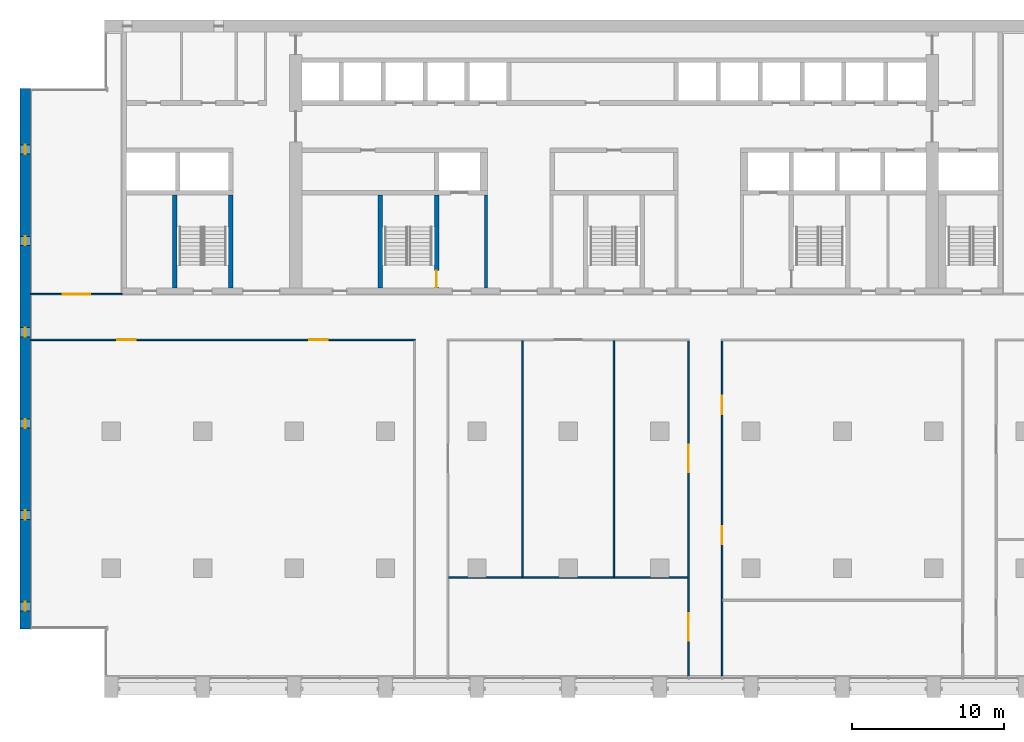
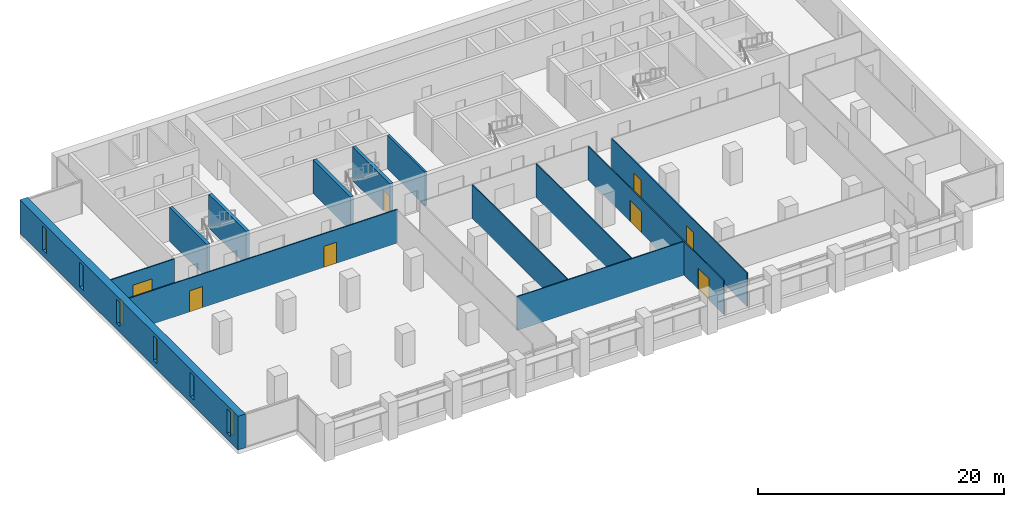
# One storey, part 8 of 15: 13 walls, 8 doors, 6 windows, 14 openings.
"""IFC4 building model written with IfcOpenShell, lengths in metres."""

from ifc_helpers import new_model, si_unit, direction, frame, frame_2d, origin, place, context, subcontext, project, spatial, rectangle, extrude, material, layer, layer_set, type_object, element, fill, save


model = new_model("IFC4")

# Units and contexts
model_context = context("Model", 3, precision=1e-05, world=origin(), true_north=direction((0.0, 1.0)))
body_context = subcontext(model_context, "Body", "Model", "MODEL_VIEW")
ifc_project = project(units=[si_unit("LENGTHUNIT", "METRE"), si_unit("AREAUNIT", "SQUARE_METRE"), si_unit("VOLUMEUNIT", "CUBIC_METRE"), si_unit("PLANEANGLEUNIT", "RADIAN"), si_unit("MASSUNIT", "GRAM", prefix="KILO")], contexts=[model_context])

# Site, building, storey
site_placement = place(None, origin())
site = spatial("IfcSite", under=ifc_project, at=site_placement, CompositionType="ELEMENT")
building_placement = place(site_placement, origin())
building = spatial("IfcBuilding", under=site, at=building_placement, Name="Calvaro Tower", CompositionType="ELEMENT")
storey_placement = place(building_placement, frame((0.0, 0.0, 151.25)))
storey = spatial("IfcBuildingStorey", under=building, at=storey_placement, Name="L38", CompositionType="ELEMENT", Elevation=151.25)

# Walls
ifc_material_1 = material(Name="Blockwork partition", Category="masonry")
ifc_layer_1 = layer(ifc_material_1, 0.199951171875)
ifc_layer_set_1 = layer_set([ifc_layer_1], Name="Blockwork partition")
wall_type_1 = type_object("IfcWallType", Name="Core partition 200 REI 120", PredefinedType="PARTITIONING", material=ifc_layer_set_1)
wall_1_placement = place(storey_placement, frame((30.60009765625, 28.39990234375, 0.0), z_axis=(0.0, 0.0, 1.0), x_axis=(0.0, 1.0, 0.0)))
element("IfcWall", 1, at=wall_1_placement, inside=storey, type_object=wall_type_1, Name="Core partition", PredefinedType="PARTITIONING", context=body_context, shape_type="SweptSolid", body=[
    extrude(rectangle(XDim=6.10009765625, YDim=0.199951171875, at=frame_2d((3.050048828125, 0.0))), origin(), (0.0, 0.0, 1.0), 3.35009765625),
])
ifc_material_2 = material(Name="Concrete C60/75", Category="concrete")
ifc_layer_2 = layer(ifc_material_2, 0.300048828125)
ifc_layer_set_2 = layer_set([ifc_layer_2], Name="Concrete C60/75")
wall_type_2 = type_object("IfcWallType", Name="Core wall C60/75 300", PredefinedType="SHEAR", material=ifc_layer_set_2)
for number, where, z_axis, x_axis, name in (
    (2, (10.14990234375, 28.39990234375, 0.0), (0.0, 0.0, 1.0), (0.0, 1.0, 0.0), "Core wall, stair enclosure"),
    (3, (13.85009765625, 28.39990234375, 0.0), (0.0, 0.0, 1.0), (0.0, 1.0, 0.0), "Core wall, stair enclosure"),
    (4, (23.64990234375, 28.39990234375, 0.0), (0.0, 0.0, 1.0), (0.0, 1.0, 0.0), "Core wall, stair enclosure"),
):
    element("IfcWall", number, at=place(storey_placement, frame(where, z_axis=z_axis, x_axis=x_axis)), inside=storey, type_object=wall_type_2, Name=name, PredefinedType="SHEAR", context=body_context, shape_type="SweptSolid", body=[
        extrude(rectangle(XDim=6.10009765625, YDim=0.300048828125, at=frame_2d((3.050048828125, 0.0))), origin(), (0.0, 0.0, 1.0), 3.35009765625),
    ])

# Wall, opening, door
wall_2_placement = place(storey_placement, frame((27.35009765625, 28.39990234375, 0.0), z_axis=(0.0, 0.0, 1.0), x_axis=(0.0, 1.0, 0.0)))
wall_2 = element("IfcWall", 5, at=wall_2_placement, inside=storey, type_object=wall_type_2, Name="Core wall, stair enclosure", PredefinedType="SHEAR", context=body_context, shape_type="SweptSolid", body=[
    extrude(rectangle(XDim=6.10009765625, YDim=0.300048828125, at=frame_2d((3.050048828125, 0.0))), origin(), (0.0, 0.0, 1.0), 3.35009765625),
])
opening_1_placement = place(wall_2_placement, frame((0.050048828125, 0.0, 0.0)))
opening_1 = element("IfcOpeningElement", 6, at=opening_1_placement, cuts=wall_2, Name="Opening FD11D", PredefinedType="OPENING", context=body_context, shape_type="SweptSolid", body=[
    extrude(rectangle(XDim=1.10009765625, YDim=2.10009765625, at=frame_2d((0.550048828125, 1.050048828125))), frame((0.0, 0.159912109375, 0.0), z_axis=(0.0, -1.0, 0.0), x_axis=(1.0, 0.0, 0.0)), (0.0, 0.0, 1.0), 0.320068359375),
])
ifc_material_3 = material(Name="Steel door set", Category="steel")
door_type_1 = type_object("IfcDoorType", Name="Fire door 1100 FD30S", OperationType="SINGLE_SWING_LEFT", PredefinedType="DOOR", material=ifc_material_3)
door_1_placement = place(opening_1_placement, origin())
door_1 = element("IfcDoor", 7, at=door_1_placement, inside=storey, type_object=door_type_1, Name="Fire door", OperationType="SINGLE_SWING_LEFT", OverallHeight=2.10009765625, OverallWidth=1.10009765625, PredefinedType="DOOR", context=body_context, shape_type="SweptSolid", body=[
    extrude(rectangle(XDim=1.10009765625, YDim=2.10009765625, at=frame_2d((0.550048828125, 1.050048828125))), frame((0.0, 0.02490234375, 0.0), z_axis=(0.0, -1.0, 0.0), x_axis=(1.0, 0.0, 0.0)), (0.0, 0.0, 1.0), 0.050048828125),
])
fill(opening_1, door_1)

# Wall, openings, windows
ifc_material_4 = material(Name="Concrete C60/75", Category="concrete")
ifc_layer_3 = layer(ifc_material_4, 0.699951171875)
ifc_layer_set_3 = layer_set([ifc_layer_3], Name="Concrete C60/75")
wall_type_3 = type_object("IfcWallType", Name="End wall 700 C60/75", PredefinedType="SHEAR", material=ifc_layer_set_3)
wall_3_placement = place(storey_placement, frame((0.35009765625, 6.0, 0.0), z_axis=(0.0, 0.0, 1.0), x_axis=(0.0, 1.0, 0.0)))
wall_3 = element("IfcWall", 8, at=wall_3_placement, inside=storey, type_object=wall_type_3, Name="End shear wall", PredefinedType="SHEAR", context=body_context, shape_type="SweptSolid", body=[
    extrude(rectangle(XDim=35.5, YDim=0.699951171875, at=frame_2d((17.75, 0.0))), origin(), (0.0, 0.0, 1.0), 3.35009765625),
])
opening_2_placement = place(wall_3_placement, frame((1.199951171875, 0.0, 0.60009765625)))
opening_2 = element("IfcOpeningElement", 9, at=opening_2_placement, cuts=wall_3, Name="Opening WW01", PredefinedType="OPENING", context=body_context, shape_type="SweptSolid", body=[
    extrude(rectangle(XDim=0.60009765625, YDim=2.39990234375, at=frame_2d((0.300048828125, 1.199951171875))), frame((0.0, 0.35986328125, 0.0), z_axis=(0.0, -1.0, 0.0), x_axis=(1.0, 0.0, 0.0)), (0.0, 0.0, 1.0), 0.719970703125),
])
opening_3_placement = place(wall_3_placement, frame((7.199951171875, 0.0, 0.60009765625)))
opening_3 = element("IfcOpeningElement", 10, at=opening_3_placement, cuts=wall_3, Name="Opening WW02", PredefinedType="OPENING", context=body_context, shape_type="SweptSolid", body=[
    extrude(rectangle(XDim=0.60009765625, YDim=2.39990234375, at=frame_2d((0.300048828125, 1.199951171875))), frame((0.0, 0.35986328125, 0.0), z_axis=(0.0, -1.0, 0.0), x_axis=(1.0, 0.0, 0.0)), (0.0, 0.0, 1.0), 0.719970703125),
])
opening_4_placement = place(wall_3_placement, frame((13.199951171875, 0.0, 0.60009765625)))
opening_4 = element("IfcOpeningElement", 11, at=opening_4_placement, cuts=wall_3, Name="Opening WW03", PredefinedType="OPENING", context=body_context, shape_type="SweptSolid", body=[
    extrude(rectangle(XDim=0.60009765625, YDim=2.39990234375, at=frame_2d((0.300048828125, 1.199951171875))), frame((0.0, 0.35986328125, 0.0), z_axis=(0.0, -1.0, 0.0), x_axis=(1.0, 0.0, 0.0)), (0.0, 0.0, 1.0), 0.719970703125),
])
opening_5_placement = place(wall_3_placement, frame((19.199951171875, 0.0, 0.60009765625)))
opening_5 = element("IfcOpeningElement", 12, at=opening_5_placement, cuts=wall_3, Name="Opening WW04", PredefinedType="OPENING", context=body_context, shape_type="SweptSolid", body=[
    extrude(rectangle(XDim=0.60009765625, YDim=2.39990234375, at=frame_2d((0.300048828125, 1.199951171875))), frame((0.0, 0.35986328125, 0.0), z_axis=(0.0, -1.0, 0.0), x_axis=(1.0, 0.0, 0.0)), (0.0, 0.0, 1.0), 0.719970703125),
])
opening_6_placement = place(wall_3_placement, frame((25.199951171875, 0.0, 0.60009765625)))
opening_6 = element("IfcOpeningElement", 13, at=opening_6_placement, cuts=wall_3, Name="Opening WW05", PredefinedType="OPENING", context=body_context, shape_type="SweptSolid", body=[
    extrude(rectangle(XDim=0.60009765625, YDim=2.39990234375, at=frame_2d((0.300048828125, 1.199951171875))), frame((0.0, 0.35986328125, 0.0), z_axis=(0.0, -1.0, 0.0), x_axis=(1.0, 0.0, 0.0)), (0.0, 0.0, 1.0), 0.719970703125),
])
opening_7_placement = place(wall_3_placement, frame((31.199951171875, 0.0, 0.60009765625)))
opening_7 = element("IfcOpeningElement", 14, at=opening_7_placement, cuts=wall_3, Name="Opening WW06", PredefinedType="OPENING", context=body_context, shape_type="SweptSolid", body=[
    extrude(rectangle(XDim=0.60009765625, YDim=2.39990234375, at=frame_2d((0.300048828125, 1.199951171875))), frame((0.0, 0.35986328125, 0.0), z_axis=(0.0, -1.0, 0.0), x_axis=(1.0, 0.0, 0.0)), (0.0, 0.0, 1.0), 0.719970703125),
])
ifc_material_5 = material(Name="Glass", Category="glass")
window_type = type_object("IfcWindowType", Name="Slit window 600 x 2400", PartitioningType="SINGLE_PANEL", PredefinedType="WINDOW", material=ifc_material_5)
window_1_placement = place(opening_2_placement, origin())
window_1 = element("IfcWindow", 15, at=window_1_placement, inside=storey, type_object=window_type, Name="Window WW01", OverallHeight=2.39990234375, OverallWidth=0.60009765625, PartitioningType="SINGLE_PANEL", PredefinedType="WINDOW", context=body_context, shape_type="SweptSolid", body=[
    extrude(rectangle(XDim=0.60009765625, YDim=2.39990234375, at=frame_2d((0.300048828125, 1.199951171875))), frame((0.0, 0.030029296875, 0.0), z_axis=(0.0, -1.0, 0.0), x_axis=(1.0, 0.0, 0.0)), (0.0, 0.0, 1.0), 0.06005859375),
])
fill(opening_2, window_1)
window_2_placement = place(opening_3_placement, origin())
window_2 = element("IfcWindow", 16, at=window_2_placement, inside=storey, type_object=window_type, Name="Window WW02", OverallHeight=2.39990234375, OverallWidth=0.60009765625, PartitioningType="SINGLE_PANEL", PredefinedType="WINDOW", context=body_context, shape_type="SweptSolid", body=[
    extrude(rectangle(XDim=0.60009765625, YDim=2.39990234375, at=frame_2d((0.300048828125, 1.199951171875))), frame((0.0, 0.030029296875, 0.0), z_axis=(0.0, -1.0, 0.0), x_axis=(1.0, 0.0, 0.0)), (0.0, 0.0, 1.0), 0.06005859375),
])
fill(opening_3, window_2)
window_3_placement = place(opening_4_placement, origin())
window_3 = element("IfcWindow", 17, at=window_3_placement, inside=storey, type_object=window_type, Name="Window WW03", OverallHeight=2.39990234375, OverallWidth=0.60009765625, PartitioningType="SINGLE_PANEL", PredefinedType="WINDOW", context=body_context, shape_type="SweptSolid", body=[
    extrude(rectangle(XDim=0.60009765625, YDim=2.39990234375, at=frame_2d((0.300048828125, 1.199951171875))), frame((0.0, 0.030029296875, 0.0), z_axis=(0.0, -1.0, 0.0), x_axis=(1.0, 0.0, 0.0)), (0.0, 0.0, 1.0), 0.06005859375),
])
fill(opening_4, window_3)
window_4_placement = place(opening_5_placement, origin())
window_4 = element("IfcWindow", 18, at=window_4_placement, inside=storey, type_object=window_type, Name="Window WW04", OverallHeight=2.39990234375, OverallWidth=0.60009765625, PartitioningType="SINGLE_PANEL", PredefinedType="WINDOW", context=body_context, shape_type="SweptSolid", body=[
    extrude(rectangle(XDim=0.60009765625, YDim=2.39990234375, at=frame_2d((0.300048828125, 1.199951171875))), frame((0.0, 0.030029296875, 0.0), z_axis=(0.0, -1.0, 0.0), x_axis=(1.0, 0.0, 0.0)), (0.0, 0.0, 1.0), 0.06005859375),
])
fill(opening_5, window_4)
window_5_placement = place(opening_6_placement, origin())
window_5 = element("IfcWindow", 19, at=window_5_placement, inside=storey, type_object=window_type, Name="Window WW05", OverallHeight=2.39990234375, OverallWidth=0.60009765625, PartitioningType="SINGLE_PANEL", PredefinedType="WINDOW", context=body_context, shape_type="SweptSolid", body=[
    extrude(rectangle(XDim=0.60009765625, YDim=2.39990234375, at=frame_2d((0.300048828125, 1.199951171875))), frame((0.0, 0.030029296875, 0.0), z_axis=(0.0, -1.0, 0.0), x_axis=(1.0, 0.0, 0.0)), (0.0, 0.0, 1.0), 0.06005859375),
])
fill(opening_6, window_5)
window_6_placement = place(opening_7_placement, origin())
window_6 = element("IfcWindow", 20, at=window_6_placement, inside=storey, type_object=window_type, Name="Window WW06", OverallHeight=2.39990234375, OverallWidth=0.60009765625, PartitioningType="SINGLE_PANEL", PredefinedType="WINDOW", context=body_context, shape_type="SweptSolid", body=[
    extrude(rectangle(XDim=0.60009765625, YDim=2.39990234375, at=frame_2d((0.300048828125, 1.199951171875))), frame((0.0, 0.030029296875, 0.0), z_axis=(0.0, -1.0, 0.0), x_axis=(1.0, 0.0, 0.0)), (0.0, 0.0, 1.0), 0.06005859375),
])
fill(opening_7, window_6)

# Wall
ifc_material_6 = material(Name="Plasterboard on steel studs", Category="steel")
ifc_layer_4 = layer(ifc_material_6, 0.10009765625)
ifc_layer_set_4 = layer_set([ifc_layer_4], Name="Plasterboard on steel studs")
wall_type_4 = type_object("IfcWallType", Name="Partition 100", PredefinedType="PARTITIONING", material=ifc_layer_set_4)
wall_4_placement = place(storey_placement, frame((28.14990234375, 9.39990234375, 0.0), z_axis=(0.0, 0.0, 1.0), x_axis=(1.0, 0.0, 0.0)))
element("IfcWall", 21, at=wall_4_placement, inside=storey, type_object=wall_type_4, Name="Partition T23.W002", PredefinedType="PARTITIONING", context=body_context, shape_type="SweptSolid", body=[
    extrude(rectangle(XDim=15.7001953125, YDim=0.10009765625, at=frame_2d((7.85009765625, 0.0))), origin(), (0.0, 0.0, 1.0), 3.35009765625),
])

# Wall, openings, doors
wall_5_placement = place(storey_placement, frame((0.699951171875, 25.0, 0.0), z_axis=(0.0, 0.0, 1.0), x_axis=(1.0, 0.0, 0.0)))
wall_5 = element("IfcWall", 22, at=wall_5_placement, inside=storey, type_object=wall_type_4, Name="Partition T23.W004", PredefinedType="PARTITIONING", context=body_context, shape_type="SweptSolid", body=[
    extrude(rectangle(XDim=25.25, YDim=0.10009765625, at=frame_2d((12.625, 0.0))), origin(), (0.0, 0.0, 1.0), 3.35009765625),
])
opening_8_placement = place(wall_5_placement, frame((5.699951171875, 0.0, 0.0)))
opening_8 = element("IfcOpeningElement", 23, at=opening_8_placement, cuts=wall_5, Name="Opening T23.004", PredefinedType="OPENING", context=body_context, shape_type="SweptSolid", body=[
    extrude(rectangle(XDim=1.199951171875, YDim=2.10009765625, at=frame_2d((0.60009765625, 1.050048828125))), frame((0.0, 0.06005859375, 0.0), z_axis=(0.0, -1.0, 0.0), x_axis=(1.0, 0.0, 0.0)), (0.0, 0.0, 1.0), 0.1201171875),
])
opening_9_placement = place(wall_5_placement, frame((18.300048828125, 0.0, 0.0)))
opening_9 = element("IfcOpeningElement", 24, at=opening_9_placement, cuts=wall_5, Name="Opening T23.005", PredefinedType="OPENING", context=body_context, shape_type="SweptSolid", body=[
    extrude(rectangle(XDim=1.199951171875, YDim=2.10009765625, at=frame_2d((0.60009765625, 1.050048828125))), frame((0.0, 0.06005859375, 0.0), z_axis=(0.0, -1.0, 0.0), x_axis=(1.0, 0.0, 0.0)), (0.0, 0.0, 1.0), 0.1201171875),
])
ifc_material_7 = material(Name="Timber", Category="wood")
door_type_2 = type_object("IfcDoorType", Name="Internal single door 1200 x 2100", OperationType="SINGLE_SWING_LEFT", PredefinedType="DOOR", material=ifc_material_7)
door_2_placement = place(opening_8_placement, origin())
door_2 = element("IfcDoor", 25, at=door_2_placement, inside=storey, type_object=door_type_2, Name="Door T23.004", OperationType="SINGLE_SWING_LEFT", OverallHeight=2.10009765625, OverallWidth=1.199951171875, PredefinedType="DOOR", context=body_context, shape_type="SweptSolid", body=[
    extrude(rectangle(XDim=1.199951171875, YDim=2.10009765625, at=frame_2d((0.60009765625, 1.050048828125))), frame((0.0, 0.02490234375, 0.0), z_axis=(0.0, -1.0, 0.0), x_axis=(1.0, 0.0, 0.0)), (0.0, 0.0, 1.0), 0.050048828125),
])
fill(opening_8, door_2)
door_3_placement = place(opening_9_placement, origin())
door_3 = element("IfcDoor", 26, at=door_3_placement, inside=storey, type_object=door_type_2, Name="Door T23.005", OperationType="SINGLE_SWING_RIGHT", OverallHeight=2.10009765625, OverallWidth=1.199951171875, PredefinedType="DOOR", context=body_context, shape_type="SweptSolid", body=[
    extrude(rectangle(XDim=1.199951171875, YDim=2.10009765625, at=frame_2d((0.60009765625, 1.050048828125))), frame((0.0, 0.02490234375, 0.0), z_axis=(0.0, -1.0, 0.0), x_axis=(1.0, 0.0, 0.0)), (0.0, 0.0, 1.0), 0.050048828125),
])
fill(opening_9, door_3)

# Wall, opening, door
wall_6_placement = place(storey_placement, frame((0.699951171875, 28.0, 0.0), z_axis=(0.0, 0.0, 1.0), x_axis=(1.0, 0.0, 0.0)))
wall_6 = element("IfcWall", 27, at=wall_6_placement, inside=storey, type_object=wall_type_4, Name="Partition T23.W008", PredefinedType="PARTITIONING", context=body_context, shape_type="SweptSolid", body=[
    extrude(rectangle(XDim=6.0, YDim=0.10009765625, at=frame_2d((3.0, 0.0))), origin(), (0.0, 0.0, 1.0), 3.35009765625),
])
opening_10_placement = place(wall_6_placement, frame((2.10009765625, 0.0, 0.0)))
opening_10 = element("IfcOpeningElement", 28, at=opening_10_placement, cuts=wall_6, Name="Opening T23.013", PredefinedType="OPENING", context=body_context, shape_type="SweptSolid", body=[
    extrude(rectangle(XDim=1.800048828125, YDim=2.10009765625, at=frame_2d((0.89990234375, 1.050048828125))), frame((0.0, 0.06005859375, 0.0), z_axis=(0.0, -1.0, 0.0), x_axis=(1.0, 0.0, 0.0)), (0.0, 0.0, 1.0), 0.1201171875),
])
ifc_material_8 = material(Name="Timber", Category="wood")
door_type_3 = type_object("IfcDoorType", Name="Internal double door 1800 x 2100", OperationType="DOUBLE_DOOR_SINGLE_SWING", PredefinedType="DOOR", material=ifc_material_8)
door_4_placement = place(opening_10_placement, origin())
door_4 = element("IfcDoor", 29, at=door_4_placement, inside=storey, type_object=door_type_3, Name="Door T23.013", OperationType="DOUBLE_DOOR_SINGLE_SWING", OverallHeight=2.10009765625, OverallWidth=1.800048828125, PredefinedType="DOOR", context=body_context, shape_type="SweptSolid", body=[
    extrude(rectangle(XDim=1.800048828125, YDim=2.10009765625, at=frame_2d((0.89990234375, 1.050048828125))), frame((0.0, 0.02490234375, 0.0), z_axis=(0.0, -1.0, 0.0), x_axis=(1.0, 0.0, 0.0)), (0.0, 0.0, 1.0), 0.050048828125),
])
fill(opening_10, door_4)

# Walls
for number, where, z_axis, x_axis, name in (
    (30, (33.0, 9.449951171875, 0.0), (0.0, 0.0, 1.0), (0.0, 1.0, 0.0), "Partition T23.W012"),
    (31, (39.0, 9.449951171875, 0.0), (0.0, 0.0, 1.0), (0.0, 1.0, 0.0), "Partition T23.W013"),
):
    element("IfcWall", number, at=place(storey_placement, frame(where, z_axis=z_axis, x_axis=x_axis)), inside=storey, type_object=wall_type_4, Name=name, PredefinedType="PARTITIONING", context=body_context, shape_type="SweptSolid", body=[
        extrude(rectangle(XDim=15.5, YDim=0.10009765625, at=frame_2d((7.75, 0.0))), origin(), (0.0, 0.0, 1.0), 3.35009765625),
    ])

# Wall, openings, doors
wall_7_placement = place(storey_placement, frame((43.89990234375, 2.89990234375, 0.0), z_axis=(0.0, 0.0, 1.0), x_axis=(0.0, 1.0, 0.0)))
wall_7 = element("IfcWall", 32, at=wall_7_placement, inside=storey, type_object=wall_type_4, Name="Partition T23.W014", PredefinedType="PARTITIONING", context=body_context, shape_type="SweptSolid", body=[
    extrude(rectangle(XDim=22.050048828125, YDim=0.10009765625, at=frame_2d((11.02490234375, 0.0))), origin(), (0.0, 0.0, 1.0), 3.35009765625),
])
opening_11_placement = place(wall_7_placement, frame((2.35009765625, 0.0, 0.0)))
opening_11 = element("IfcOpeningElement", 33, at=opening_11_placement, cuts=wall_7, Name="Opening T23.002", PredefinedType="OPENING", context=body_context, shape_type="SweptSolid", body=[
    extrude(rectangle(XDim=1.800048828125, YDim=2.10009765625, at=frame_2d((0.89990234375, 1.050048828125))), frame((0.0, 0.06005859375, 0.0), z_axis=(0.0, -1.0, 0.0), x_axis=(1.0, 0.0, 0.0)), (0.0, 0.0, 1.0), 0.1201171875),
])
opening_12_placement = place(wall_7_placement, frame((13.39990234375, 0.0, 0.0)))
opening_12 = element("IfcOpeningElement", 34, at=opening_12_placement, cuts=wall_7, Name="Opening T23.010", PredefinedType="OPENING", context=body_context, shape_type="SweptSolid", body=[
    extrude(rectangle(XDim=1.800048828125, YDim=2.10009765625, at=frame_2d((0.89990234375, 1.050048828125))), frame((0.0, 0.06005859375, 0.0), z_axis=(0.0, -1.0, 0.0), x_axis=(1.0, 0.0, 0.0)), (0.0, 0.0, 1.0), 0.1201171875),
])
door_5_placement = place(opening_11_placement, origin())
door_5 = element("IfcDoor", 35, at=door_5_placement, inside=storey, type_object=door_type_3, Name="Door T23.002", OperationType="DOUBLE_DOOR_SINGLE_SWING", OverallHeight=2.10009765625, OverallWidth=1.800048828125, PredefinedType="DOOR", context=body_context, shape_type="SweptSolid", body=[
    extrude(rectangle(XDim=1.800048828125, YDim=2.10009765625, at=frame_2d((0.89990234375, 1.050048828125))), frame((0.0, 0.02490234375, 0.0), z_axis=(0.0, -1.0, 0.0), x_axis=(1.0, 0.0, 0.0)), (0.0, 0.0, 1.0), 0.050048828125),
])
fill(opening_11, door_5)
door_6_placement = place(opening_12_placement, origin())
door_6 = element("IfcDoor", 36, at=door_6_placement, inside=storey, type_object=door_type_3, Name="Door T23.010", OperationType="DOUBLE_DOOR_SINGLE_SWING", OverallHeight=2.10009765625, OverallWidth=1.800048828125, PredefinedType="DOOR", context=body_context, shape_type="SweptSolid", body=[
    extrude(rectangle(XDim=1.800048828125, YDim=2.10009765625, at=frame_2d((0.89990234375, 1.050048828125))), frame((0.0, 0.02490234375, 0.0), z_axis=(0.0, -1.0, 0.0), x_axis=(1.0, 0.0, 0.0)), (0.0, 0.0, 1.0), 0.050048828125),
])
fill(opening_12, door_6)

wall_8_placement = place(storey_placement, frame((46.10009765625, 2.89990234375, 0.0), z_axis=(0.0, 0.0, 1.0), x_axis=(0.0, 1.0, 0.0)))
wall_8 = element("IfcWall", 37, at=wall_8_placement, inside=storey, type_object=wall_type_4, Name="Partition T23.W015", PredefinedType="PARTITIONING", context=body_context, shape_type="SweptSolid", body=[
    extrude(rectangle(XDim=22.050048828125, YDim=0.10009765625, at=frame_2d((11.02490234375, 0.0))), origin(), (0.0, 0.0, 1.0), 3.35009765625),
])
opening_13_placement = place(wall_8_placement, frame((8.675048828125, 0.0, 0.0)))
opening_13 = element("IfcOpeningElement", 38, at=opening_13_placement, cuts=wall_8, Name="Opening T23.006", PredefinedType="OPENING", context=body_context, shape_type="SweptSolid", body=[
    extrude(rectangle(XDim=1.199951171875, YDim=2.10009765625, at=frame_2d((0.60009765625, 1.050048828125))), frame((0.0, 0.06005859375, 0.0), z_axis=(0.0, -1.0, 0.0), x_axis=(1.0, 0.0, 0.0)), (0.0, 0.0, 1.0), 0.1201171875),
])
opening_14_placement = place(wall_8_placement, frame((17.22509765625, 0.0, 0.0)))
opening_14 = element("IfcOpeningElement", 39, at=opening_14_placement, cuts=wall_8, Name="Opening T23.007", PredefinedType="OPENING", context=body_context, shape_type="SweptSolid", body=[
    extrude(rectangle(XDim=1.199951171875, YDim=2.10009765625, at=frame_2d((0.60009765625, 1.050048828125))), frame((0.0, 0.06005859375, 0.0), z_axis=(0.0, -1.0, 0.0), x_axis=(1.0, 0.0, 0.0)), (0.0, 0.0, 1.0), 0.1201171875),
])
door_7_placement = place(opening_13_placement, origin())
door_7 = element("IfcDoor", 40, at=door_7_placement, inside=storey, type_object=door_type_2, Name="Door T23.006", OperationType="SINGLE_SWING_LEFT", OverallHeight=2.10009765625, OverallWidth=1.199951171875, PredefinedType="DOOR", context=body_context, shape_type="SweptSolid", body=[
    extrude(rectangle(XDim=1.199951171875, YDim=2.10009765625, at=frame_2d((0.60009765625, 1.050048828125))), frame((0.0, 0.02490234375, 0.0), z_axis=(0.0, -1.0, 0.0), x_axis=(1.0, 0.0, 0.0)), (0.0, 0.0, 1.0), 0.050048828125),
])
fill(opening_13, door_7)
door_8_placement = place(opening_14_placement, origin())
door_8 = element("IfcDoor", 41, at=door_8_placement, inside=storey, type_object=door_type_2, Name="Door T23.007", OperationType="SINGLE_SWING_RIGHT", OverallHeight=2.10009765625, OverallWidth=1.199951171875, PredefinedType="DOOR", context=body_context, shape_type="SweptSolid", body=[
    extrude(rectangle(XDim=1.199951171875, YDim=2.10009765625, at=frame_2d((0.60009765625, 1.050048828125))), frame((0.0, 0.02490234375, 0.0), z_axis=(0.0, -1.0, 0.0), x_axis=(1.0, 0.0, 0.0)), (0.0, 0.0, 1.0), 0.050048828125),
])
fill(opening_14, door_8)

save(model, "model.ifc")
